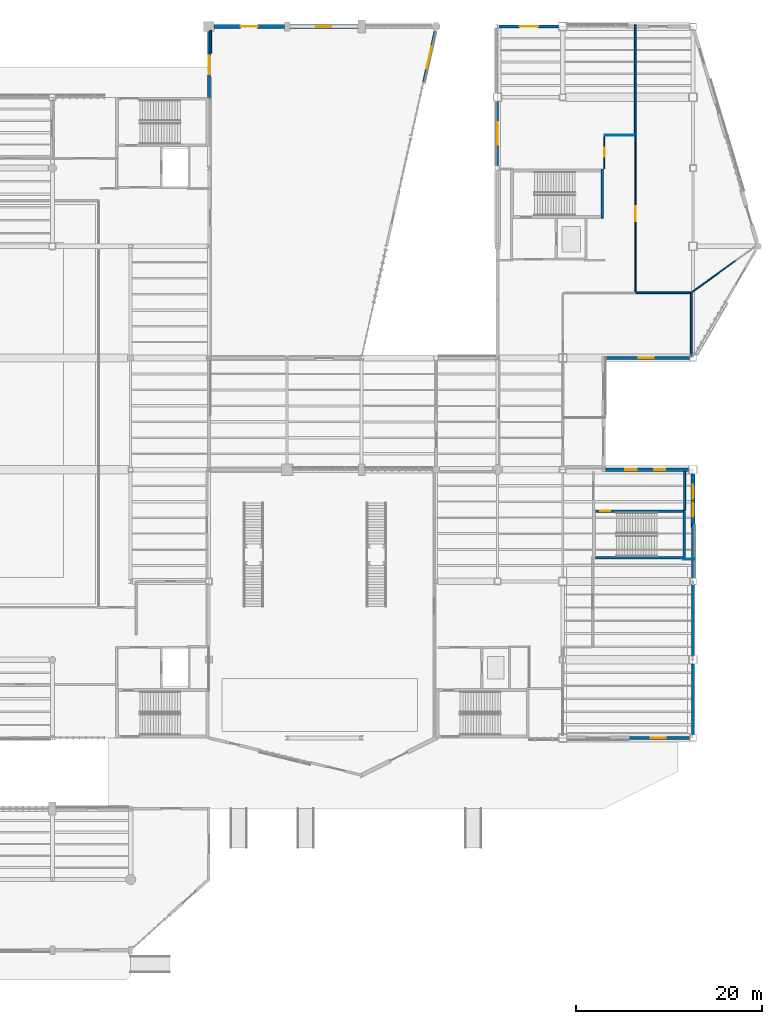
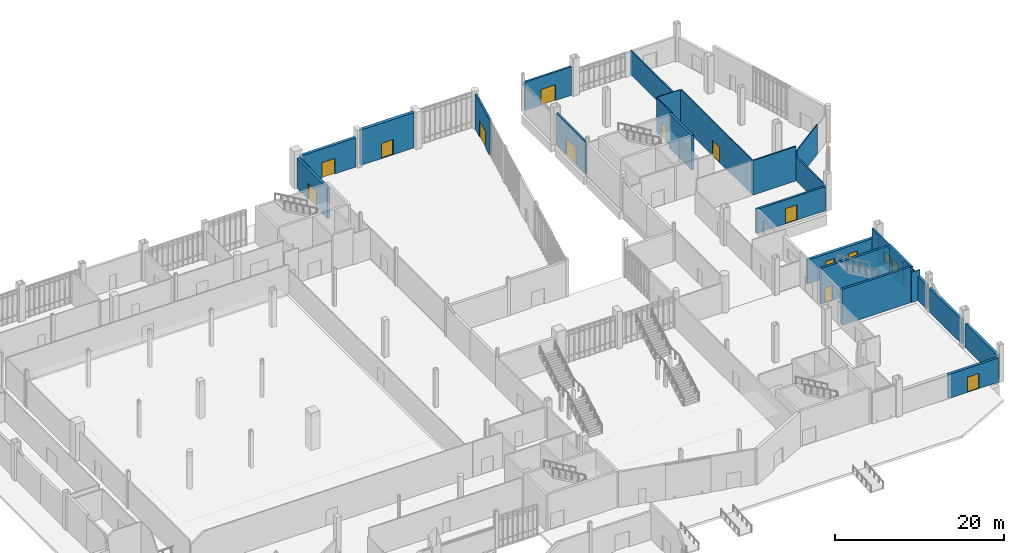
# One storey, part 91 of 111: 27 walls, 11 doors, 4 windows, 15 openings.
"""IFC4 building model written with IfcOpenShell, lengths in metres."""

from ifc_helpers import new_model, si_unit, direction, frame, frame_2d, origin, place, context, subcontext, project, spatial, rectangle, extrude, material, layer, layer_set, type_object, element, fill, save


model = new_model("IFC4")

# Units and contexts
model_context = context("Model", 3, precision=1e-05, world=origin(), true_north=direction((0.0, 1.0)))
body_context = subcontext(model_context, "Body", "Model", "MODEL_VIEW")
ifc_project = project(units=[si_unit("LENGTHUNIT", "METRE"), si_unit("AREAUNIT", "SQUARE_METRE"), si_unit("VOLUMEUNIT", "CUBIC_METRE"), si_unit("PLANEANGLEUNIT", "RADIAN"), si_unit("MASSUNIT", "GRAM", prefix="KILO")], contexts=[model_context])

# Site, building, storey
site_placement = place(None, origin())
site = spatial("IfcSite", under=ifc_project, at=site_placement, CompositionType="ELEMENT")
building_placement = place(site_placement, origin())
building = spatial("IfcBuilding", under=site, at=building_placement, Name="Larkvane Passage Sports Hall", CompositionType="ELEMENT")
storey_placement = place(building_placement, origin())
storey = spatial("IfcBuildingStorey", under=building, at=storey_placement, Name="L00", CompositionType="ELEMENT", Elevation=0.0)

# Walls
ifc_material_1 = material(Name="Concrete C50/60", Category="concrete")
ifc_layer_1 = layer(ifc_material_1, 0.300048828125)
ifc_layer_set_1 = layer_set([ifc_layer_1], Name="Concrete C50/60")
wall_type_1 = type_object("IfcWallType", Name="WL-CORE-300", PredefinedType="SHEAR", material=ifc_layer_set_1)
wall_1_placement = place(storey_placement, frame((144.64990234375, 47.300048828125, 0.0), z_axis=(0.0, 0.0, 1.0), x_axis=(0.0, -1.0, 0.0)))
element("IfcWall", 1, at=wall_1_placement, inside=storey, type_object=wall_type_1, Name="Core shear wall WAL-CORE-C7-L00-E", PredefinedType="SHEAR", context=body_context, shape_type="SweptSolid", body=[
    extrude(rectangle(XDim=5.300048828125, YDim=0.300048828125, at=frame_2d((2.64990234375, 0.0))), origin(), (0.0, 0.0, 1.0), 5.169921875),
])
wall_2_placement = place(storey_placement, frame((144.5, 42.14990234375, 0.0), z_axis=(0.0, 0.0, 1.0), x_axis=(-1.0, 0.0, 0.0)))
element("IfcWall", 2, at=wall_2_placement, inside=storey, type_object=wall_type_1, Name="Core shear wall WAL-CORE-C7-L00-S", PredefinedType="SHEAR", context=body_context, shape_type="SweptSolid", body=[
    extrude(rectangle(XDim=9.39990234375, YDim=0.300048828125, at=frame_2d((4.699951171875, 0.0))), origin(), (0.0, 0.0, 1.0), 5.169921875),
])

# Wall, opening, door
wall_3_placement = place(storey_placement, frame((135.10009765625, 47.14990234375, 0.0), z_axis=(0.0, 0.0, 1.0), x_axis=(1.0, 0.0, 0.0)))
wall_3 = element("IfcWall", 3, at=wall_3_placement, inside=storey, type_object=wall_type_1, Name="Core shear wall WAL-CORE-C7-L00-N", PredefinedType="SHEAR", context=body_context, shape_type="SweptSolid", body=[
    extrude(rectangle(XDim=9.39990234375, YDim=0.300048828125, at=frame_2d((4.699951171875, 0.0))), origin(), (0.0, 0.0, 1.0), 5.169921875),
])
opening_1_placement = place(wall_3_placement, frame((0.550048828125, 0.0, 0.0)))
opening_1 = element("IfcOpeningElement", 4, at=opening_1_placement, cuts=wall_3, Name="Opening DF-01", PredefinedType="OPENING", context=body_context, shape_type="SweptSolid", body=[
    extrude(rectangle(XDim=1.050048828125, YDim=2.199951171875, at=frame_2d((0.52490234375, 1.10009765625))), frame((0.0, 0.159912109375, 0.0), z_axis=(0.0, -1.0, 0.0), x_axis=(1.0, 0.0, 0.0)), (0.0, 0.0, 1.0), 0.320068359375),
])
ifc_material_2 = material(Name="Steel S355JR smoke-sealed fire door", Category="steel")
door_type_1 = type_object("IfcDoorType", Name="DR-FIRE-1050", OperationType="NOTDEFINED", PredefinedType="DOOR", material=ifc_material_2)
door_1_placement = place(opening_1_placement, origin())
door_1 = element("IfcDoor", 5, at=door_1_placement, inside=storey, type_object=door_type_1, Name="Stair ST-07 L00 fire door", OperationType="SINGLE_SWING_LEFT", OverallHeight=2.199951171875, OverallWidth=1.050048828125, PredefinedType="DOOR", context=body_context, shape_type="SweptSolid", body=[
    extrude(rectangle(XDim=1.050048828125, YDim=2.199951171875, at=frame_2d((0.52490234375, 1.10009765625))), frame((0.0, 0.02490234375, 0.0), z_axis=(0.0, -1.0, 0.0), x_axis=(1.0, 0.0, 0.0)), (0.0, 0.0, 1.0), 0.050048828125),
])
fill(opening_1, door_1)

# Wall
ifc_layer_2 = layer(ifc_material_1, 0.360107421875)
ifc_layer_set_2 = layer_set([ifc_layer_2], Name="Concrete C50/60")
wall_type_2 = type_object("IfcWallType", Name="WL-CORE-360", PredefinedType="SHEAR", material=ifc_layer_set_2)
wall_4_placement = place(storey_placement, frame((135.85009765625, 83.89990234375, 0.0), z_axis=(0.0, 0.0, 1.0), x_axis=(0.0, -1.0, 0.0)))
element("IfcWall", 6, at=wall_4_placement, inside=storey, type_object=wall_type_2, Name="Core shear wall WAL-CORE-C6-L00-E", PredefinedType="SHEAR", context=body_context, shape_type="SweptSolid", body=[
    extrude(rectangle(XDim=5.2998046875, YDim=0.300048828125, at=frame_2d((2.64990234375, 0.0))), origin(), (0.0, 0.0, 1.0), 4.97998046875),
])

# Wall, opening, door
ifc_material_3 = material(Name="Concrete C40/50", Category="concrete")
ifc_layer_3 = layer(ifc_material_3, 0.239990234375)
ifc_layer_set_3 = layer_set([ifc_layer_3], Name="Concrete C40/50")
wall_type_3 = type_object("IfcWallType", Name="WL-EXT-240", PredefinedType="SOLIDWALL", material=ifc_layer_set_3)
wall_5_placement = place(storey_placement, frame((117.883056640625, 98.67919921875, 0.0), z_axis=(0.0, 0.0, 1.0), x_axis=(-0.219243492441, -0.975670175327, 0.0)))
wall_5 = element("IfcWall", 7, at=wall_5_placement, inside=storey, type_object=wall_type_3, Name="Exterior wall WAL-EXT-L00-024", PredefinedType="SOLIDWALL", context=body_context, shape_type="SweptSolid", body=[
    extrude(rectangle(XDim=5.664794921875, YDim=0.239990234375, at=frame_2d((2.83251953125, 0.0))), origin(), (0.0, 0.0, 1.0), 5.10009765625),
])
opening_2_placement = place(wall_5_placement, frame((1.632080078125, 0.0, 0.0)))
opening_2 = element("IfcOpeningElement", 8, at=opening_2_placement, cuts=wall_5, Name="Opening DE-01", PredefinedType="OPENING", context=body_context, shape_type="SweptSolid", body=[
    extrude(rectangle(XDim=2.39990234375, YDim=2.39990234375, at=frame_2d((1.199951171875, 1.199951171875))), frame((0.0, 0.1298828125, 0.0), z_axis=(0.0, -1.0, 0.0), x_axis=(1.0, 0.0, 0.0)), (0.0, 0.0, 1.0), 0.260009765625),
])
ifc_material_4 = material(Name="Anodised aluminium and toughened glass", Category="aluminium")
door_type_2 = type_object("IfcDoorType", Name="DR-ENTR-2400", OperationType="DOUBLE_DOOR_SINGLE_SWING", PredefinedType="DOOR", material=ifc_material_4)
door_2_placement = place(opening_2_placement, origin())
door_2 = element("IfcDoor", 9, at=door_2_placement, inside=storey, type_object=door_type_2, Name="Exterior door L00-013", OperationType="DOUBLE_DOOR_SINGLE_SWING", OverallHeight=2.39990234375, OverallWidth=2.39990234375, PredefinedType="DOOR", context=body_context, shape_type="SweptSolid", body=[
    extrude(rectangle(XDim=2.39990234375, YDim=2.39990234375, at=frame_2d((1.199951171875, 1.199951171875))), frame((0.0, 0.02490234375, 0.0), z_axis=(0.0, -1.0, 0.0), x_axis=(1.0, 0.0, 0.0)), (0.0, 0.0, 1.0), 0.050048828125),
])
fill(opening_2, door_2)

wall_6_placement = place(storey_placement, frame((124.60009765625, 84.25, 0.0), z_axis=(0.0, 0.0, 1.0), x_axis=(0.0, 1.0, 0.0)))
wall_6 = element("IfcWall", 10, at=wall_6_placement, inside=storey, type_object=wall_type_3, Name="Exterior wall WAL-EXT-L00-036", PredefinedType="SOLIDWALL", context=body_context, shape_type="SweptSolid", body=[
    extrude(rectangle(XDim=6.904052734375, YDim=0.239990234375, at=frame_2d((3.4521484375, 0.0))), origin(), (0.0, 0.0, 1.0), 4.577880859375),
])
opening_3_placement = place(wall_6_placement, frame((2.251953125, 0.0, 0.0)))
opening_3 = element("IfcOpeningElement", 11, at=opening_3_placement, cuts=wall_6, Name="Opening DE-01", PredefinedType="OPENING", context=body_context, shape_type="SweptSolid", body=[
    extrude(rectangle(XDim=2.39990234375, YDim=2.39990234375, at=frame_2d((1.199951171875, 1.199951171875))), frame((0.0, 0.1298828125, 0.0), z_axis=(0.0, -1.0, 0.0), x_axis=(1.0, 0.0, 0.0)), (0.0, 0.0, 1.0), 0.260009765625),
])
door_3_placement = place(opening_3_placement, origin())
door_3 = element("IfcDoor", 12, at=door_3_placement, inside=storey, type_object=door_type_2, Name="Exterior door L00-017", OperationType="DOUBLE_DOOR_SINGLE_SWING", OverallHeight=2.39990234375, OverallWidth=2.39990234375, PredefinedType="DOOR", context=body_context, shape_type="SweptSolid", body=[
    extrude(rectangle(XDim=2.39990234375, YDim=2.39990234375, at=frame_2d((1.199951171875, 1.199951171875))), frame((0.0, 0.02490234375, 0.0), z_axis=(0.0, -1.0, 0.0), x_axis=(1.0, 0.0, 0.0)), (0.0, 0.0, 1.0), 0.050048828125),
])
fill(opening_3, door_3)

ifc_layer_4 = layer(ifc_material_3, 0.27490234375)
ifc_layer_set_4 = layer_set([ifc_layer_4], Name="Concrete C40/50")
wall_type_4 = type_object("IfcWallType", Name="WL-EXT-275", PredefinedType="SOLIDWALL", material=ifc_layer_set_4)
wall_7_placement = place(storey_placement, frame((124.77099609375, 99.199951171875, 0.0), z_axis=(0.0, 0.0, 1.0), x_axis=(1.0, 0.0, 0.0)))
wall_7 = element("IfcWall", 13, at=wall_7_placement, inside=storey, type_object=wall_type_4, Name="Exterior wall WAL-EXT-L00-037", PredefinedType="SOLIDWALL", context=body_context, shape_type="SweptSolid", body=[
    extrude(rectangle(XDim=6.383056640625, YDim=0.27490234375, at=frame_2d((3.19140625, 0.0))), origin(), (0.0, 0.0, 1.0), 4.117919921875),
])
opening_4_placement = place(wall_7_placement, frame((2.19091796875, 0.0, 0.0)))
opening_4 = element("IfcOpeningElement", 14, at=opening_4_placement, cuts=wall_7, Name="Opening DE-02", PredefinedType="OPENING", context=body_context, shape_type="SweptSolid", body=[
    extrude(rectangle(XDim=2.0, YDim=2.300048828125, at=frame_2d((1.0, 1.14990234375))), frame((0.0, 0.1474609375, 0.0), z_axis=(0.0, -1.0, 0.0), x_axis=(1.0, 0.0, 0.0)), (0.0, 0.0, 1.0), 0.294921875),
])
door_type_3 = type_object("IfcDoorType", Name="DR-ENTR-2000", OperationType="DOUBLE_DOOR_SINGLE_SWING", PredefinedType="DOOR", material=ifc_material_4)
door_4_placement = place(opening_4_placement, origin())
door_4 = element("IfcDoor", 15, at=door_4_placement, inside=storey, type_object=door_type_3, Name="Exterior door L00-018", OperationType="DOUBLE_DOOR_SINGLE_SWING", OverallHeight=2.300048828125, OverallWidth=2.0, PredefinedType="DOOR", context=body_context, shape_type="SweptSolid", body=[
    extrude(rectangle(XDim=2.0, YDim=2.300048828125, at=frame_2d((1.0, 1.14990234375))), frame((0.0, 0.02490234375, 0.0), z_axis=(0.0, -1.0, 0.0), x_axis=(1.0, 0.0, 0.0)), (0.0, 0.0, 1.0), 0.050048828125),
])
fill(opening_4, door_4)

wall_8_placement = place(storey_placement, frame((145.25390625, 63.60009765625, 0.0), z_axis=(0.0, 0.0, 1.0), x_axis=(-1.0, 0.0, 0.0)))
wall_8 = element("IfcWall", 16, at=wall_8_placement, inside=storey, type_object=wall_type_4, Name="Exterior wall WAL-EXT-L00-043", PredefinedType="SOLIDWALL", context=body_context, shape_type="SweptSolid", body=[
    extrude(rectangle(XDim=9.385986328125, YDim=0.27490234375, at=frame_2d((4.69287109375, 0.0))), origin(), (0.0, 0.0, 1.0), 3.468017578125),
])
opening_5_placement = place(wall_8_placement, frame((3.89306640625, 0.0, 0.0)))
opening_5 = element("IfcOpeningElement", 17, at=opening_5_placement, cuts=wall_8, Name="Opening DE-04", PredefinedType="OPENING", context=body_context, shape_type="SweptSolid", body=[
    extrude(rectangle(XDim=1.60009765625, YDim=2.199951171875, at=frame_2d((0.800048828125, 1.10009765625))), frame((0.0, 0.1474609375, 0.0), z_axis=(0.0, -1.0, 0.0), x_axis=(1.0, 0.0, 0.0)), (0.0, 0.0, 1.0), 0.294921875),
])
ifc_material_5 = material(Name="Galvanised steel S355JR fire exit leaf", Category="steel")
door_type_4 = type_object("IfcDoorType", Name="DR-EXIT-1600", OperationType="DOUBLE_DOOR_SINGLE_SWING", PredefinedType="DOOR", material=ifc_material_5)
door_5_placement = place(opening_5_placement, origin())
door_5 = element("IfcDoor", 18, at=door_5_placement, inside=storey, type_object=door_type_4, Name="Exterior door L00-024", OperationType="DOUBLE_DOOR_SINGLE_SWING", OverallHeight=2.199951171875, OverallWidth=1.60009765625, PredefinedType="DOOR", context=body_context, shape_type="SweptSolid", body=[
    extrude(rectangle(XDim=1.60009765625, YDim=2.199951171875, at=frame_2d((0.800048828125, 1.10009765625))), frame((0.0, 0.02490234375, 0.0), z_axis=(0.0, -1.0, 0.0), x_axis=(1.0, 0.0, 0.0)), (0.0, 0.0, 1.0), 0.050048828125),
])
fill(opening_5, door_5)

ifc_material_6 = material(Name="Precast concrete C45/55", Category="concrete")
ifc_layer_5 = layer(ifc_material_6, 0.344970703125)
ifc_layer_set_5 = layer_set([ifc_layer_5], Name="Precast concrete C45/55")
wall_type_5 = type_object("IfcWallType", Name="WL-EXT-345", PredefinedType="SOLIDWALL", material=ifc_layer_set_5)
wall_9_placement = place(storey_placement, frame((93.60009765625, 91.4443359375, 0.0), z_axis=(0.0, 0.0, 1.0), x_axis=(0.0, 1.0, 0.0)))
wall_9 = element("IfcWall", 19, at=wall_9_placement, inside=storey, type_object=wall_type_5, Name="Exterior wall WAL-EXT-L00-021", PredefinedType="SOLIDWALL", context=body_context, shape_type="SweptSolid", body=[
    extrude(rectangle(XDim=7.209716796875, YDim=0.344970703125, at=frame_2d((3.60498046875, 0.0))), origin(), (0.0, 0.0, 1.0), 4.367919921875),
])
opening_6_placement = place(wall_9_placement, frame((2.60498046875, 0.0, 0.0)))
opening_6 = element("IfcOpeningElement", 20, at=opening_6_placement, cuts=wall_9, Name="Opening DE-02", PredefinedType="OPENING", context=body_context, shape_type="SweptSolid", body=[
    extrude(rectangle(XDim=2.0, YDim=2.300048828125, at=frame_2d((1.0, 1.14990234375))), frame((0.0, 0.182373046875, 0.0), z_axis=(0.0, -1.0, 0.0), x_axis=(1.0, 0.0, 0.0)), (0.0, 0.0, 1.0), 0.364990234375),
])
door_6_placement = place(opening_6_placement, origin())
door_6 = element("IfcDoor", 21, at=door_6_placement, inside=storey, type_object=door_type_3, Name="Exterior door L00-010", OperationType="DOUBLE_DOOR_SINGLE_SWING", OverallHeight=2.300048828125, OverallWidth=2.0, PredefinedType="DOOR", context=body_context, shape_type="SweptSolid", body=[
    extrude(rectangle(XDim=2.0, YDim=2.300048828125, at=frame_2d((1.0, 1.14990234375))), frame((0.0, 0.02490234375, 0.0), z_axis=(0.0, -1.0, 0.0), x_axis=(1.0, 0.0, 0.0)), (0.0, 0.0, 1.0), 0.050048828125),
])
fill(opening_6, door_6)

# Walls
wall_10_placement = place(storey_placement, frame((145.60009765625, 45.765625, 0.0), z_axis=(0.0, 0.0, 1.0), x_axis=(0.0, -1.0, 0.0)))
element("IfcWall", 22, at=wall_10_placement, inside=storey, type_object=wall_type_5, Name="Exterior wall WAL-EXT-L00-048", PredefinedType="SOLIDWALL", context=body_context, shape_type="SweptSolid", body=[
    extrude(rectangle(XDim=5.819580078125, YDim=0.344970703125, at=frame_2d((2.90966796875, 0.0))), origin(), (0.0, 0.0, 1.0), 3.468017578125),
])
for number, where, z_axis, x_axis, name in (
    (23, (145.60009765625, 39.25390625, 0.0), (0.0, 0.0, 1.0), (0.0, -1.0, 0.0), "Exterior wall WAL-EXT-L00-049"),
    (24, (145.60009765625, 30.75390625, 0.0), (0.0, 0.0, 1.0), (0.0, -1.0, 0.0), "Exterior wall WAL-EXT-L00-050"),
):
    element("IfcWall", number, at=place(storey_placement, frame(where, z_axis=z_axis, x_axis=x_axis)), inside=storey, type_object=wall_type_5, Name=name, PredefinedType="SOLIDWALL", context=body_context, shape_type="SweptSolid", body=[
        extrude(rectangle(XDim=7.60791015625, YDim=0.344970703125, at=frame_2d((3.803955078125, 0.0))), origin(), (0.0, 0.0, 1.0), 3.468017578125),
    ])

# Wall, opening, door
wall_11_placement = place(storey_placement, frame((145.25390625, 22.800048828125, 0.0), z_axis=(0.0, 0.0, 1.0), x_axis=(-1.0, 0.0, 0.0)))
wall_11 = element("IfcWall", 25, at=wall_11_placement, inside=storey, type_object=wall_type_5, Name="Exterior wall WAL-EXT-L00-051", PredefinedType="SOLIDWALL", context=body_context, shape_type="SweptSolid", body=[
    extrude(rectangle(XDim=6.819580078125, YDim=0.344970703125, at=frame_2d((3.40966796875, 0.0))), origin(), (0.0, 0.0, 1.0), 3.468017578125),
])
opening_7_placement = place(wall_11_placement, frame((2.610107421875, 0.0, 0.0)))
opening_7 = element("IfcOpeningElement", 26, at=opening_7_placement, cuts=wall_11, Name="Opening DE-04", PredefinedType="OPENING", context=body_context, shape_type="SweptSolid", body=[
    extrude(rectangle(XDim=1.60009765625, YDim=2.199951171875, at=frame_2d((0.800048828125, 1.10009765625))), frame((0.0, 0.182373046875, 0.0), z_axis=(0.0, -1.0, 0.0), x_axis=(1.0, 0.0, 0.0)), (0.0, 0.0, 1.0), 0.364990234375),
])
door_7_placement = place(opening_7_placement, origin())
door_7 = element("IfcDoor", 27, at=door_7_placement, inside=storey, type_object=door_type_4, Name="Exterior door L00-025", OperationType="DOUBLE_DOOR_SINGLE_SWING", OverallHeight=2.199951171875, OverallWidth=1.60009765625, PredefinedType="DOOR", context=body_context, shape_type="SweptSolid", body=[
    extrude(rectangle(XDim=1.60009765625, YDim=2.199951171875, at=frame_2d((0.800048828125, 1.10009765625))), frame((0.0, 0.02490234375, 0.0), z_axis=(0.0, -1.0, 0.0), x_axis=(1.0, 0.0, 0.0)), (0.0, 0.0, 1.0), 0.050048828125),
])
fill(opening_7, door_7)

ifc_layer_6 = layer(ifc_material_3, 0.385009765625)
ifc_layer_set_6 = layer_set([ifc_layer_6], Name="Concrete C40/50")
wall_type_6 = type_object("IfcWallType", Name="WL-EXT-385", PredefinedType="SOLIDWALL", material=ifc_layer_set_6)
wall_12_placement = place(storey_placement, frame((94.14599609375, 99.199951171875, 0.0), z_axis=(0.0, 0.0, 1.0), x_axis=(1.0, 0.0, 0.0)))
wall_12 = element("IfcWall", 28, at=wall_12_placement, inside=storey, type_object=wall_type_6, Name="Exterior wall WAL-EXT-L00-022", PredefinedType="SOLIDWALL", context=body_context, shape_type="SweptSolid", body=[
    extrude(rectangle(XDim=7.55810546875, YDim=0.385009765625, at=frame_2d((3.779052734375, 0.0))), origin(), (0.0, 0.0, 1.0), 4.218017578125),
])
opening_8_placement = place(wall_12_placement, frame((2.87890625, 0.0, 0.0)))
opening_8 = element("IfcOpeningElement", 29, at=opening_8_placement, cuts=wall_12, Name="Opening DE-03", PredefinedType="OPENING", context=body_context, shape_type="SweptSolid", body=[
    extrude(rectangle(XDim=1.800048828125, YDim=2.25, at=frame_2d((0.89990234375, 1.125))), frame((0.0, 0.202392578125, 0.0), z_axis=(0.0, -1.0, 0.0), x_axis=(1.0, 0.0, 0.0)), (0.0, 0.0, 1.0), 0.405029296875),
])
door_type_5 = type_object("IfcDoorType", Name="DR-EXIT-1800", OperationType="DOUBLE_DOOR_SINGLE_SWING", PredefinedType="DOOR", material=ifc_material_5)
door_8_placement = place(opening_8_placement, origin())
door_8 = element("IfcDoor", 30, at=door_8_placement, inside=storey, type_object=door_type_5, Name="Exterior door L00-011", OperationType="DOUBLE_DOOR_SINGLE_SWING", OverallHeight=2.25, OverallWidth=1.800048828125, PredefinedType="DOOR", context=body_context, shape_type="SweptSolid", body=[
    extrude(rectangle(XDim=1.800048828125, YDim=2.25, at=frame_2d((0.89990234375, 1.125))), frame((0.0, 0.02490234375, 0.0), z_axis=(0.0, -1.0, 0.0), x_axis=(1.0, 0.0, 0.0)), (0.0, 0.0, 1.0), 0.050048828125),
])
fill(opening_8, door_8)

# Wall, openings, windows
wall_13_placement = place(storey_placement, frame((135.815185546875, 51.60009765625, 0.0), z_axis=(0.0, 0.0, 1.0), x_axis=(1.0, 0.0, 0.0)))
wall_13 = element("IfcWall", 31, at=wall_13_placement, inside=storey, type_object=wall_type_6, Name="Exterior wall WAL-EXT-L00-046", PredefinedType="SOLIDWALL", context=body_context, shape_type="SweptSolid", body=[
    extrude(rectangle(XDim=9.3388671875, YDim=0.385009765625, at=frame_2d((4.66943359375, 0.0))), origin(), (0.0, 0.0, 1.0), 3.468017578125),
])
opening_9_placement = place(wall_13_placement, frame((2.512939453125, 0.0, 0.89990234375)))
opening_9 = element("IfcOpeningElement", 32, at=opening_9_placement, cuts=wall_13, Name="Opening W-07", PredefinedType="OPENING", context=body_context, shape_type="SweptSolid", body=[
    extrude(rectangle(XDim=1.199951171875, YDim=1.5, at=frame_2d((0.60009765625, 0.75))), frame((0.0, 0.202392578125, 0.0), z_axis=(0.0, -1.0, 0.0), x_axis=(1.0, 0.0, 0.0)), (0.0, 0.0, 1.0), 0.405029296875),
])
opening_10_placement = place(wall_13_placement, frame((5.6259765625, 0.0, 0.89990234375)))
opening_10 = element("IfcOpeningElement", 33, at=opening_10_placement, cuts=wall_13, Name="Opening W-07", PredefinedType="OPENING", context=body_context, shape_type="SweptSolid", body=[
    extrude(rectangle(XDim=1.199951171875, YDim=1.5, at=frame_2d((0.60009765625, 0.75))), frame((0.0, 0.202392578125, 0.0), z_axis=(0.0, -1.0, 0.0), x_axis=(1.0, 0.0, 0.0)), (0.0, 0.0, 1.0), 0.405029296875),
])
ifc_material_7 = material(Name="Thermally broken aluminium and laminated low-E glass", Category="aluminium")
window_type_1 = type_object("IfcWindowType", Name="WN-CAS-1200x1500", PartitioningType="DOUBLE_PANEL_VERTICAL", PredefinedType="WINDOW", material=ifc_material_7)
window_1_placement = place(opening_9_placement, origin())
window_1 = element("IfcWindow", 34, at=window_1_placement, inside=storey, type_object=window_type_1, Name="Window L00-005", OverallHeight=1.5, OverallWidth=1.199951171875, PartitioningType="DOUBLE_PANEL_VERTICAL", PredefinedType="WINDOW", context=body_context, shape_type="SweptSolid", body=[
    extrude(rectangle(XDim=1.199951171875, YDim=1.5, at=frame_2d((0.60009765625, 0.75))), frame((0.0, 0.030029296875, 0.0), z_axis=(0.0, -1.0, 0.0), x_axis=(1.0, 0.0, 0.0)), (0.0, 0.0, 1.0), 0.06005859375),
])
fill(opening_9, window_1)
window_2_placement = place(opening_10_placement, origin())
window_2 = element("IfcWindow", 35, at=window_2_placement, inside=storey, type_object=window_type_1, Name="Window L00-006", OverallHeight=1.5, OverallWidth=1.199951171875, PartitioningType="DOUBLE_PANEL_VERTICAL", PredefinedType="WINDOW", context=body_context, shape_type="SweptSolid", body=[
    extrude(rectangle(XDim=1.199951171875, YDim=1.5, at=frame_2d((0.60009765625, 0.75))), frame((0.0, 0.030029296875, 0.0), z_axis=(0.0, -1.0, 0.0), x_axis=(1.0, 0.0, 0.0)), (0.0, 0.0, 1.0), 0.06005859375),
])
fill(opening_10, window_2)

# Wall, opening, door
ifc_layer_7 = layer(ifc_material_3, 0.425048828125)
ifc_layer_set_7 = layer_set([ifc_layer_7], Name="Concrete C40/50")
wall_type_7 = type_object("IfcWallType", Name="WL-EXT-425", PredefinedType="SOLIDWALL", material=ifc_layer_set_7)
wall_14_placement = place(storey_placement, frame((102.2958984375, 99.199951171875, 0.0), z_axis=(0.0, 0.0, 1.0), x_axis=(1.0, 0.0, 0.0)))
wall_14 = element("IfcWall", 36, at=wall_14_placement, inside=storey, type_object=wall_type_7, Name="Exterior wall WAL-EXT-L00-023", PredefinedType="SOLIDWALL", context=body_context, shape_type="SweptSolid", body=[
    extrude(rectangle(XDim=7.30810546875, YDim=0.425048828125, at=frame_2d((3.654052734375, 0.0))), origin(), (0.0, 0.0, 1.0), 5.10009765625),
])
opening_11_placement = place(wall_14_placement, frame((2.85400390625, 0.0, 0.0)))
opening_11 = element("IfcOpeningElement", 37, at=opening_11_placement, cuts=wall_14, Name="Opening DE-04", PredefinedType="OPENING", context=body_context, shape_type="SweptSolid", body=[
    extrude(rectangle(XDim=1.60009765625, YDim=2.199951171875, at=frame_2d((0.800048828125, 1.10009765625))), frame((0.0, 0.222412109375, 0.0), z_axis=(0.0, -1.0, 0.0), x_axis=(1.0, 0.0, 0.0)), (0.0, 0.0, 1.0), 0.445068359375),
])
door_9_placement = place(opening_11_placement, origin())
door_9 = element("IfcDoor", 38, at=door_9_placement, inside=storey, type_object=door_type_4, Name="Exterior door L00-012", OperationType="DOUBLE_DOOR_SINGLE_SWING", OverallHeight=2.199951171875, OverallWidth=1.60009765625, PredefinedType="DOOR", context=body_context, shape_type="SweptSolid", body=[
    extrude(rectangle(XDim=1.60009765625, YDim=2.199951171875, at=frame_2d((0.800048828125, 1.10009765625))), frame((0.0, 0.02490234375, 0.0), z_axis=(0.0, -1.0, 0.0), x_axis=(1.0, 0.0, 0.0)), (0.0, 0.0, 1.0), 0.050048828125),
])
fill(opening_11, door_9)

# Wall, openings, windows
wall_15_placement = place(storey_placement, frame((145.60009765625, 51.154052734375, 0.0), z_axis=(0.0, 0.0, 1.0), x_axis=(0.0, -1.0, 0.0)))
wall_15 = element("IfcWall", 39, at=wall_15_placement, inside=storey, type_object=wall_type_7, Name="Exterior wall WAL-EXT-L00-047", PredefinedType="SOLIDWALL", context=body_context, shape_type="SweptSolid", body=[
    extrude(rectangle(XDim=5.758056640625, YDim=0.425048828125, at=frame_2d((2.87890625, 0.0))), origin(), (0.0, 0.0, 1.0), 3.468017578125),
])
opening_12_placement = place(wall_15_placement, frame((1.1689453125, 0.0, 0.89990234375)))
opening_12 = element("IfcOpeningElement", 40, at=opening_12_placement, cuts=wall_15, Name="Opening W-08", PredefinedType="OPENING", context=body_context, shape_type="SweptSolid", body=[
    extrude(rectangle(XDim=1.5, YDim=1.5, at=frame_2d((0.75, 0.75))), frame((0.0, 0.222412109375, 0.0), z_axis=(0.0, -1.0, 0.0), x_axis=(1.0, 0.0, 0.0)), (0.0, 0.0, 1.0), 0.445068359375),
])
opening_13_placement = place(wall_15_placement, frame((3.089111328125, 0.0, 0.89990234375)))
opening_13 = element("IfcOpeningElement", 41, at=opening_13_placement, cuts=wall_15, Name="Opening W-08", PredefinedType="OPENING", context=body_context, shape_type="SweptSolid", body=[
    extrude(rectangle(XDim=1.5, YDim=1.5, at=frame_2d((0.75, 0.75))), frame((0.0, 0.222412109375, 0.0), z_axis=(0.0, -1.0, 0.0), x_axis=(1.0, 0.0, 0.0)), (0.0, 0.0, 1.0), 0.445068359375),
])
window_type_2 = type_object("IfcWindowType", Name="WN-CAS-1500x1500", PartitioningType="DOUBLE_PANEL_VERTICAL", PredefinedType="WINDOW", material=ifc_material_7)
window_3_placement = place(opening_12_placement, origin())
window_3 = element("IfcWindow", 42, at=window_3_placement, inside=storey, type_object=window_type_2, Name="Window L00-007", OverallHeight=1.5, OverallWidth=1.5, PartitioningType="DOUBLE_PANEL_VERTICAL", PredefinedType="WINDOW", context=body_context, shape_type="SweptSolid", body=[
    extrude(rectangle(XDim=1.5, YDim=1.5, at=frame_2d((0.75, 0.75))), frame((0.0, 0.030029296875, 0.0), z_axis=(0.0, -1.0, 0.0), x_axis=(1.0, 0.0, 0.0)), (0.0, 0.0, 1.0), 0.06005859375),
])
fill(opening_12, window_3)
window_4_placement = place(opening_13_placement, origin())
window_4 = element("IfcWindow", 43, at=window_4_placement, inside=storey, type_object=window_type_2, Name="Window L00-008", OverallHeight=1.5, OverallWidth=1.5, PartitioningType="DOUBLE_PANEL_VERTICAL", PredefinedType="WINDOW", context=body_context, shape_type="SweptSolid", body=[
    extrude(rectangle(XDim=1.5, YDim=1.5, at=frame_2d((0.75, 0.75))), frame((0.0, 0.030029296875, 0.0), z_axis=(0.0, -1.0, 0.0), x_axis=(1.0, 0.0, 0.0)), (0.0, 0.0, 1.0), 0.06005859375),
])
fill(opening_13, window_4)

# Walls
ifc_layer_8 = layer(ifc_material_3, 0.199951171875)
ifc_layer_set_8 = layer_set([ifc_layer_8], Name="Concrete C40/50")
wall_type_8 = type_object("IfcWallType", Name="WL-LOBBY-200", PredefinedType="SOLIDWALL", material=ifc_layer_set_8)
wall_16_placement = place(storey_placement, frame((144.699951171875, 47.300048828125, 0.0), z_axis=(0.0, 0.0, 1.0), x_axis=(0.0, 1.0, 0.0)))
element("IfcWall", 44, at=wall_16_placement, inside=storey, type_object=wall_type_8, Name="Lobby east enclosure wall C7 L00", PredefinedType="SOLIDWALL", context=body_context, shape_type="SweptSolid", body=[
    extrude(rectangle(XDim=4.099853515625, YDim=0.199951171875, at=frame_2d((2.0498046875, 0.0))), origin(), (0.0, 0.0, 1.0), 5.050048828125),
])
ifc_material_8 = material(Name="Gypsum twin-stud acoustic partition")
ifc_layer_9 = layer(ifc_material_8, 0.10009765625)
ifc_layer_set_9 = layer_set([ifc_layer_9], Name="Gypsum twin-stud acoustic partition")
wall_type_9 = type_object("IfcWallType", Name="WL-PART-100", PredefinedType="PARTITIONING", material=ifc_layer_set_9)
wall_17_placement = place(storey_placement, frame((144.5400390625, 42.0, 0.0), z_axis=(0.0, 0.0, 1.0), x_axis=(1.0, 0.0, 0.0)))
element("IfcWall", 45, at=wall_17_placement, inside=storey, type_object=wall_type_9, Name="Interior partition WAL-PART-L00-0076", PredefinedType="PARTITIONING", context=body_context, shape_type="SweptSolid", body=[
    extrude(rectangle(XDim=1.21142578125, YDim=0.10009765625, at=frame_2d((0.605712890625, 0.0))), origin(), (0.0, 0.0, 1.0), 4.3701171875),
])
wall_18_placement = place(storey_placement, frame((139.280029296875, 87.52001953125, 0.0), z_axis=(0.0, 0.0, 1.0), x_axis=(-1.0, 0.0, 0.0)))
element("IfcWall", 46, at=wall_18_placement, inside=storey, type_object=wall_type_9, Name="Interior partition WAL-PART-L00-0088", PredefinedType="PARTITIONING", context=body_context, shape_type="SweptSolid", body=[
    extrude(rectangle(XDim=3.179931640625, YDim=0.10009765625, at=frame_2d((1.58984375, 0.0))), origin(), (0.0, 0.0, 1.0), 4.97998046875),
])
ifc_material_9 = material(Name="Gypsum twin-stud fire-rated partition")
ifc_layer_10 = layer(ifc_material_9, 0.125)
ifc_layer_set_10 = layer_set([ifc_layer_10], Name="Gypsum twin-stud fire-rated partition")
wall_type_10 = type_object("IfcWallType", Name="WL-PART-125", PredefinedType="PARTITIONING", material=ifc_layer_set_10)
wall_19_placement = place(storey_placement, frame((150.271484375, 74.130126953125, 0.0), z_axis=(0.0, 0.0, 1.0), x_axis=(-0.80978068366, -0.586732685617, 0.0)))
element("IfcWall", 47, at=wall_19_placement, inside=storey, type_object=wall_type_10, Name="Interior partition WAL-PART-L00-0085", PredefinedType="PARTITIONING", context=body_context, shape_type="SweptSolid", body=[
    extrude(rectangle(XDim=5.99609375, YDim=0.125, at=frame_2d((2.998046875, 0.0))), origin(), (0.0, 0.0, 1.0), 4.278076171875),
])

# Wall, opening, door
wall_20_placement = place(storey_placement, frame((136.080078125, 87.5, 0.0), z_axis=(0.0, 0.0, 1.0), x_axis=(0.0, -1.0, 0.0)))
wall_20 = element("IfcWall", 48, at=wall_20_placement, inside=storey, type_object=wall_type_10, Name="Interior partition WAL-PART-L00-0089", PredefinedType="PARTITIONING", context=body_context, shape_type="SweptSolid", body=[
    extrude(rectangle(XDim=3.60009765625, YDim=0.125, at=frame_2d((1.800048828125, 0.0))), origin(), (0.0, 0.0, 1.0), 4.97998046875),
])
opening_14_placement = place(wall_20_placement, frame((1.300048828125, 0.0, 0.0)))
opening_14 = element("IfcOpeningElement", 49, at=opening_14_placement, cuts=wall_20, Name="Opening DI-01", PredefinedType="OPENING", context=body_context, shape_type="SweptSolid", body=[
    extrude(rectangle(XDim=1.0, YDim=2.14990234375, at=frame_2d((0.5, 1.074951171875))), frame((0.0, 0.072509765625, 0.0), z_axis=(0.0, -1.0, 0.0), x_axis=(1.0, 0.0, 0.0)), (0.0, 0.0, 1.0), 0.14501953125),
])
ifc_material_10 = material(Name="Solid-core hardwood acoustic door", Category="wood")
door_type_6 = type_object("IfcDoorType", Name="DR-INT-1000", OperationType="NOTDEFINED", PredefinedType="DOOR", material=ifc_material_10)
door_10_placement = place(opening_14_placement, origin())
door_10 = element("IfcDoor", 50, at=door_10_placement, inside=storey, type_object=door_type_6, Name="Interior door L00-0035", OperationType="SINGLE_SWING_RIGHT", OverallHeight=2.14990234375, OverallWidth=1.0, PredefinedType="DOOR", context=body_context, shape_type="SweptSolid", body=[
    extrude(rectangle(XDim=1.0, YDim=2.14990234375, at=frame_2d((0.5, 1.074951171875))), frame((0.0, 0.02490234375, 0.0), z_axis=(0.0, -1.0, 0.0), x_axis=(1.0, 0.0, 0.0)), (0.0, 0.0, 1.0), 0.050048828125),
])
fill(opening_14, door_10)

ifc_material_11 = material(Name="Gypsum acoustic partition")
ifc_layer_11 = layer(ifc_material_11, 0.14990234375)
ifc_layer_set_11 = layer_set([ifc_layer_11], Name="Gypsum acoustic partition")
wall_type_11 = type_object("IfcWallType", Name="WL-PART-150", PredefinedType="PARTITIONING", material=ifc_layer_set_11)
wall_21_placement = place(storey_placement, frame((139.419921875, 70.719970703125, 0.0), z_axis=(0.0, 0.0, 1.0), x_axis=(0.0, 1.0, 0.0)))
wall_21 = element("IfcWall", 51, at=wall_21_placement, inside=storey, type_object=wall_type_11, Name="Interior partition WAL-PART-L00-0086", PredefinedType="PARTITIONING", context=body_context, shape_type="SweptSolid", body=[
    extrude(rectangle(XDim=16.780029296875, YDim=0.14990234375, at=frame_2d((8.39013671875, 0.0))), origin(), (0.0, 0.0, 1.0), 4.97998046875),
])
opening_15_placement = place(wall_21_placement, frame((7.590087890625, 0.0, 0.0)))
opening_15 = element("IfcOpeningElement", 52, at=opening_15_placement, cuts=wall_21, Name="Opening DI-03", PredefinedType="OPENING", context=body_context, shape_type="SweptSolid", body=[
    extrude(rectangle(XDim=1.60009765625, YDim=2.199951171875, at=frame_2d((0.800048828125, 1.10009765625))), frame((0.0, 0.0849609375, 0.0), z_axis=(0.0, -1.0, 0.0), x_axis=(1.0, 0.0, 0.0)), (0.0, 0.0, 1.0), 0.169921875),
])
ifc_material_12 = material(Name="Glazed aluminium studio double door", Category="aluminium")
door_type_7 = type_object("IfcDoorType", Name="DR-INT-1600", OperationType="DOUBLE_DOOR_SINGLE_SWING", PredefinedType="DOOR", material=ifc_material_12)
door_11_placement = place(opening_15_placement, origin())
door_11 = element("IfcDoor", 53, at=door_11_placement, inside=storey, type_object=door_type_7, Name="Interior door L00-0022", OperationType="DOUBLE_DOOR_SINGLE_SWING", OverallHeight=2.199951171875, OverallWidth=1.60009765625, PredefinedType="DOOR", context=body_context, shape_type="SweptSolid", body=[
    extrude(rectangle(XDim=1.60009765625, YDim=2.199951171875, at=frame_2d((0.800048828125, 1.10009765625))), frame((0.0, 0.02490234375, 0.0), z_axis=(0.0, -1.0, 0.0), x_axis=(1.0, 0.0, 0.0)), (0.0, 0.0, 1.0), 0.050048828125),
])
fill(opening_15, door_11)

# Walls
ifc_material_13 = material(Name="Gypsum high-bay court partition")
ifc_layer_12 = layer(ifc_material_13, 0.179931640625)
ifc_layer_set_12 = layer_set([ifc_layer_12], Name="Gypsum high-bay court partition")
wall_type_12 = type_object("IfcWallType", Name="WL-PART-180", PredefinedType="PARTITIONING", material=ifc_layer_set_12)
wall_22_placement = place(storey_placement, frame((93.800048828125, 96.349365234375, 0.0), z_axis=(0.0, 0.0, 1.0), x_axis=(0.0, 1.0, 0.0)))
element("IfcWall", 54, at=wall_22_placement, inside=storey, type_object=wall_type_12, Name="Interior partition WAL-PART-L00-0071", PredefinedType="PARTITIONING", context=body_context, shape_type="SweptSolid", body=[
    extrude(rectangle(XDim=2.474609375, YDim=0.179931640625, at=frame_2d((1.2373046875, 0.0))), origin(), (0.0, 0.0, 1.0), 4.3701171875),
])
wall_23_placement = place(storey_placement, frame((145.39990234375, 70.60009765625, 0.0), z_axis=(0.0, 0.0, 1.0), x_axis=(0.0, -1.0, 0.0)))
element("IfcWall", 55, at=wall_23_placement, inside=storey, type_object=wall_type_12, Name="Interior partition WAL-PART-L00-0079", PredefinedType="PARTITIONING", context=body_context, shape_type="SweptSolid", body=[
    extrude(rectangle(XDim=6.80810546875, YDim=0.179931640625, at=frame_2d((3.404052734375, 0.0))), origin(), (0.0, 0.0, 1.0), 3.469970703125),
])
wall_24_placement = place(storey_placement, frame((139.419921875, 70.60009765625, 0.0), z_axis=(0.0, 0.0, 1.0), x_axis=(1.0, 0.0, 0.0)))
element("IfcWall", 56, at=wall_24_placement, inside=storey, type_object=wall_type_12, Name="Interior partition WAL-PART-L00-0083", PredefinedType="PARTITIONING", context=body_context, shape_type="SweptSolid", body=[
    extrude(rectangle(XDim=5.860107421875, YDim=0.179931640625, at=frame_2d((2.93017578125, 0.0))), origin(), (0.0, 0.0, 1.0), 4.97998046875),
])
wall_25_placement = place(storey_placement, frame((139.39990234375, 87.52001953125, 0.0), z_axis=(0.0, 0.0, 1.0), x_axis=(0.0, 1.0, 0.0)))
element("IfcWall", 57, at=wall_25_placement, inside=storey, type_object=wall_type_12, Name="Interior partition WAL-PART-L00-0087", PredefinedType="PARTITIONING", context=body_context, shape_type="SweptSolid", body=[
    extrude(rectangle(XDim=11.848876953125, YDim=0.179931640625, at=frame_2d((5.92431640625, 0.0))), origin(), (0.0, 0.0, 1.0), 3.469970703125),
])

save(model, "model.ifc")
